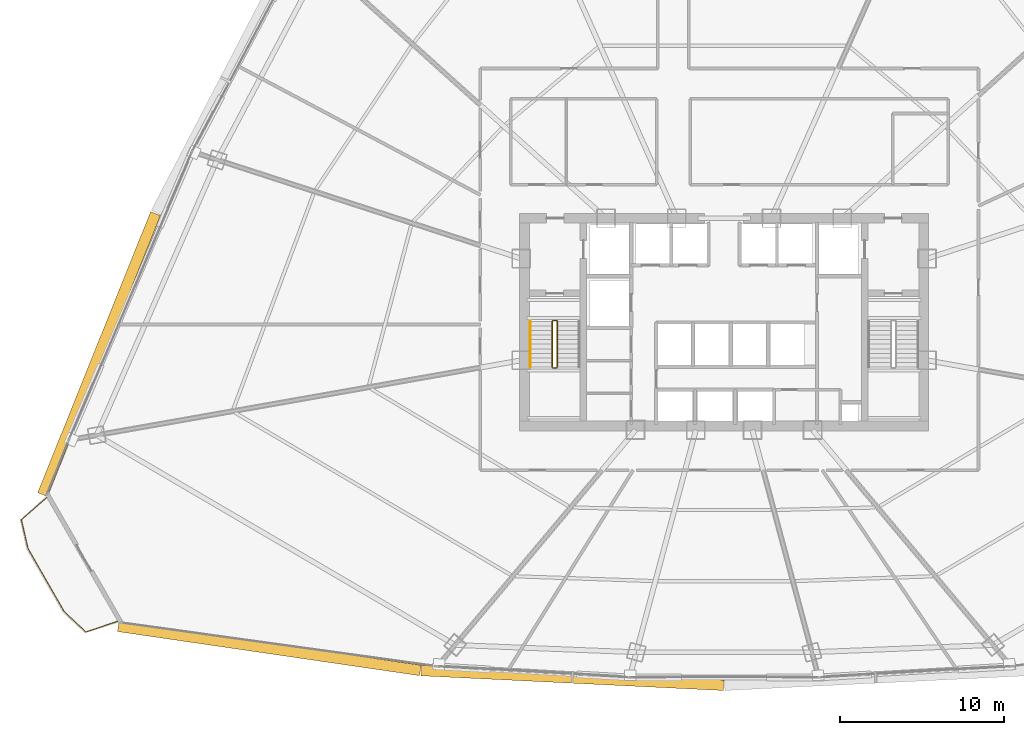
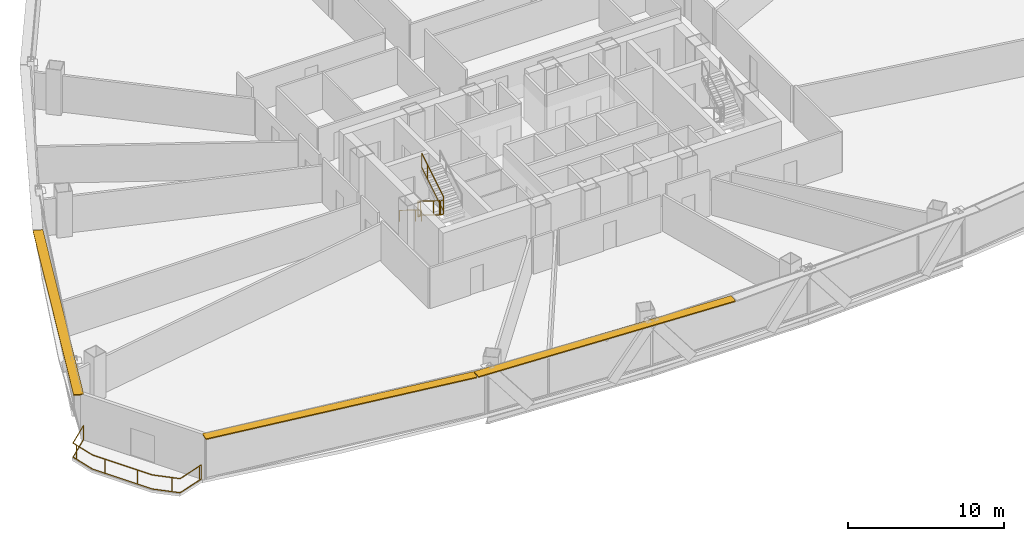
# One storey, part 33 of 36: 6 railings, 3 shading devices.
"""IFC4 building model written with IfcOpenShell, lengths in metres."""

from ifc_helpers import new_model, si_unit, direction, frame, origin, origin_2d, place, context, subcontext, project, spatial, rectangle, extrude, source, transform, mapped, material, layer, layer_set, type_object, element, save


model = new_model("IFC4")

# Units and contexts
model_context = context("Model", 3, precision=1e-05, world=origin(), true_north=direction((0.0, 1.0)))
body_context = subcontext(model_context, "Body", "Model", "MODEL_VIEW")
ifc_project = project(units=[si_unit("LENGTHUNIT", "METRE"), si_unit("AREAUNIT", "SQUARE_METRE"), si_unit("VOLUMEUNIT", "CUBIC_METRE"), si_unit("PLANEANGLEUNIT", "RADIAN"), si_unit("MASSUNIT", "GRAM", prefix="KILO"), si_unit("THERMODYNAMICTEMPERATUREUNIT", "KELVIN"), si_unit("POWERUNIT", "WATT")], contexts=[model_context])

# Site, building, storey
site_placement = place(None, origin())
site = spatial("IfcSite", under=ifc_project, at=site_placement, CompositionType="ELEMENT")
building_placement = place(site_placement, origin())
building = spatial("IfcBuilding", under=site, at=building_placement, Name="Yunzhuo Pagoda Commons", CompositionType="ELEMENT")
storey_placement = place(building_placement, frame((0.0, 0.0, 107.780029296875)))
storey = spatial("IfcBuildingStorey", under=building, at=storey_placement, Name="L27", CompositionType="ELEMENT", Elevation=107.780029296875)

# Railings
ifc_material = material(Name="Anodized aluminium 6063-T6", Category="aluminium")
railing_type_1 = type_object("IfcRailingType", Name="GR-ST1 Stair Well Guardrail 1150", PredefinedType="GUARDRAIL", material=ifc_material)
railing_1_placement = place(storey_placement, frame((37.5, 33.89990234375, 0.172607421875)))
element("IfcRailing", 1, at=railing_1_placement, inside=storey, type_object=railing_type_1, Name="L27 ST1 stair guard 1", PredefinedType="GUARDRAIL", context=body_context, shape_type="SweptSolid", body=[
    extrude(rectangle(XDim=0.048095703125, YDim=0.048095703125, at=origin_2d()), frame((0.0, 0.0, 1.1259765625), z_axis=(0.0, -0.851069175582, 0.525053576669), x_axis=(1.0, 0.0, 0.0)), (0.0, 0.0, 1.0), 3.289794921875),
    extrude(rectangle(XDim=0.048095703125, YDim=0.048095703125, at=origin_2d()), frame((0.0, 0.0, 0.02392578125), z_axis=(0.0, -0.851069175582, 0.525053576669), x_axis=(1.0, 0.0, 0.0)), (0.0, 0.0, 1.0), 3.289794921875),
    extrude(rectangle(XDim=0.0419921875, YDim=0.0419921875, at=origin_2d()), origin(), (0.0, 0.0, 1.0), 1.101806640625),
    extrude(rectangle(XDim=0.0419921875, YDim=0.0419921875, at=origin_2d()), frame((0.0, -2.04248046875, 1.260009765625)), (0.0, 0.0, 1.0), 1.101806640625),
    extrude(rectangle(XDim=0.0419921875, YDim=0.0419921875, at=origin_2d()), frame((0.0, -2.7998046875, 1.727294921875)), (0.0, 0.0, 1.0), 1.101806640625),
])
railing_2_placement = place(storey_placement, frame((37.550048828125, 31.050048828125, 1.89990234375)))
element("IfcRailing", 2, at=railing_2_placement, inside=storey, type_object=railing_type_1, Name="L27 ST1 stair guard 2", PredefinedType="GUARDRAIL", context=body_context, shape_type="SweptSolid", body=[
    extrude(rectangle(XDim=0.048095703125, YDim=0.048095703125, at=origin_2d()), frame((0.0, 0.0, 1.1259765625), z_axis=(1.0, 0.0, 0.0), x_axis=(0.0, 1.0, 0.0)), (0.0, 0.0, 1.0), 0.199951171875),
    extrude(rectangle(XDim=0.048095703125, YDim=0.048095703125, at=origin_2d()), frame((0.0, 0.0, 0.02392578125), z_axis=(1.0, 0.0, 0.0), x_axis=(0.0, 1.0, 0.0)), (0.0, 0.0, 1.0), 0.199951171875),
    extrude(rectangle(XDim=0.0419921875, YDim=0.0419921875, at=origin_2d()), origin(), (0.0, 0.0, 1.0), 1.101806640625),
    extrude(rectangle(XDim=0.0419921875, YDim=0.0419921875, at=origin_2d()), frame((0.199951171875, 0.0, 0.0)), (0.0, 0.0, 1.0), 1.101806640625),
])
railing_3_placement = place(storey_placement, frame((37.800048828125, 31.10009765625, 2.07275390625)))
element("IfcRailing", 3, at=railing_3_placement, inside=storey, type_object=railing_type_1, Name="L27 ST1 stair guard 3", PredefinedType="GUARDRAIL", context=body_context, shape_type="SweptSolid", body=[
    extrude(rectangle(XDim=0.048095703125, YDim=0.048095703125, at=origin_2d()), frame((0.0, 0.0, 1.1259765625), z_axis=(0.0, 0.851069175582, 0.525053576669), x_axis=(-1.0, 0.0, 0.0)), (0.0, 0.0, 1.0), 3.289794921875),
    extrude(rectangle(XDim=0.048095703125, YDim=0.048095703125, at=origin_2d()), frame((0.0, 0.0, 0.02392578125), z_axis=(0.0, 0.851069175582, 0.525053576669), x_axis=(-1.0, 0.0, 0.0)), (0.0, 0.0, 1.0), 3.289794921875),
    extrude(rectangle(XDim=0.0419921875, YDim=0.0419921875, at=origin_2d()), origin(), (0.0, 0.0, 1.0), 1.101806640625),
    extrude(rectangle(XDim=0.0419921875, YDim=0.0419921875, at=origin_2d()), frame((0.0, 2.04248046875, 1.260009765625)), (0.0, 0.0, 1.0), 1.101806640625),
    extrude(rectangle(XDim=0.0419921875, YDim=0.0419921875, at=origin_2d()), frame((0.0, 2.7998046875, 1.727294921875)), (0.0, 0.0, 1.0), 1.101806640625),
])
railing_4_placement = place(storey_placement, frame((37.550048828125, 33.949951171875, 0.0)))
element("IfcRailing", 4, at=railing_4_placement, inside=storey, type_object=railing_type_1, Name="L27 ST1 stair guard 4", PredefinedType="GUARDRAIL", context=body_context, shape_type="SweptSolid", body=[
    extrude(rectangle(XDim=0.048095703125, YDim=0.048095703125, at=origin_2d()), frame((0.0, 0.0, 1.1259765625), z_axis=(1.0, 0.0, 0.0), x_axis=(0.0, 1.0, 0.0)), (0.0, 0.0, 1.0), 0.199951171875),
    extrude(rectangle(XDim=0.048095703125, YDim=0.048095703125, at=origin_2d()), frame((0.0, 0.0, 0.02392578125), z_axis=(1.0, 0.0, 0.0), x_axis=(0.0, 1.0, 0.0)), (0.0, 0.0, 1.0), 0.199951171875),
    extrude(rectangle(XDim=0.0419921875, YDim=0.0419921875, at=origin_2d()), origin(), (0.0, 0.0, 1.0), 1.101806640625),
    extrude(rectangle(XDim=0.0419921875, YDim=0.0419921875, at=origin_2d()), frame((0.199951171875, 0.0, 0.0)), (0.0, 0.0, 1.0), 1.101806640625),
])
railing_type_2 = type_object("IfcRailingType", Name="HR-ST1 Stair Handrail 900", PredefinedType="HANDRAIL", material=ifc_material)
railing_5_placement = place(storey_placement, frame((36.14990234375, 33.89990234375, 0.172607421875)))
element("IfcRailing", 5, at=railing_5_placement, inside=storey, type_object=railing_type_2, Name="L27 ST1 stair handrail 1", PredefinedType="HANDRAIL", context=body_context, shape_type="SweptSolid", body=[
    extrude(rectangle(XDim=0.048095703125, YDim=0.048095703125, at=origin_2d()), frame((0.0, 0.0, 0.8759765625), z_axis=(0.0, -0.851069175582, 0.525053576669), x_axis=(1.0, 0.0, 0.0)), (0.0, 0.0, 1.0), 3.289794921875),
    extrude(rectangle(XDim=0.0419921875, YDim=0.0419921875, at=origin_2d()), origin(), (0.0, 0.0, 1.0), 0.851806640625),
    extrude(rectangle(XDim=0.0419921875, YDim=0.0419921875, at=origin_2d()), frame((0.0, -2.04248046875, 1.260009765625)), (0.0, 0.0, 1.0), 0.851806640625),
    extrude(rectangle(XDim=0.0419921875, YDim=0.0419921875, at=origin_2d()), frame((0.0, -2.7998046875, 1.727294921875)), (0.0, 0.0, 1.0), 0.851806640625),
])
railing_type_3 = type_object("IfcRailingType", Name="RL-BAL1 Exterior Terrace & Balcony Balustrade 1150", PredefinedType="BALUSTRADE", material=ifc_material)
railing_6_placement = place(storey_placement, frame((6.5947265625, 23.12548828125, 0.0)))
element("IfcRailing", 6, at=railing_6_placement, inside=storey, type_object=railing_type_3, Name="L27 corner balcony balustrade V1", PredefinedType="BALUSTRADE", context=body_context, shape_type="SweptSolid", body=[
    extrude(rectangle(XDim=0.048095703125, YDim=0.048095703125, at=origin_2d()), frame((0.0, 0.0, 1.1259765625), z_axis=(-0.753984993137, -0.656891642605, 0.0), x_axis=(0.656891642605, -0.753984993137, 0.0)), (0.0, 0.0, 1.0), 2.059326171875),
    extrude(rectangle(XDim=0.048095703125, YDim=0.048095703125, at=origin_2d()), frame((0.0, 0.0, 0.02392578125), z_axis=(-0.753984993137, -0.656891642605, 0.0), x_axis=(0.656891642605, -0.753984993137, 0.0)), (0.0, 0.0, 1.0), 2.059326171875),
    extrude(rectangle(XDim=0.048095703125, YDim=0.048095703125, at=origin_2d()), frame((-1.552734375, -1.352783203125, 1.1259765625), z_axis=(0.223732122611, -0.974650674505, 0.0), x_axis=(0.974650674505, 0.223732122611, 0.0)), (0.0, 0.0, 1.0), 1.819091796875),
    extrude(rectangle(XDim=0.048095703125, YDim=0.048095703125, at=origin_2d()), frame((-1.552734375, -1.352783203125, 0.02392578125), z_axis=(0.223732122611, -0.974650674505, 0.0), x_axis=(0.974650674505, 0.223732122611, 0.0)), (0.0, 0.0, 1.0), 1.819091796875),
    extrude(rectangle(XDim=0.048095703125, YDim=0.048095703125, at=origin_2d()), frame((-1.145751953125, -3.125732421875, 1.1259765625), z_axis=(0.497955580722, -0.867202536682, 0.0), x_axis=(0.867202536682, 0.497955580722, 0.0)), (0.0, 0.0, 1.0), 4.4404296875),
    extrude(rectangle(XDim=0.048095703125, YDim=0.048095703125, at=origin_2d()), frame((-1.145751953125, -3.125732421875, 0.02392578125), z_axis=(0.497955580722, -0.867202536682, 0.0), x_axis=(0.867202536682, 0.497955580722, 0.0)), (0.0, 0.0, 1.0), 4.4404296875),
    extrude(rectangle(XDim=0.048095703125, YDim=0.048095703125, at=origin_2d()), frame((1.0654296875, -6.9765625, 1.1259765625), z_axis=(0.728904896871, -0.684614965741, 0.0), x_axis=(0.684614965741, 0.728904896871, 0.0)), (0.0, 0.0, 1.0), 1.819091796875),
    extrude(rectangle(XDim=0.048095703125, YDim=0.048095703125, at=origin_2d()), frame((1.0654296875, -6.9765625, 0.02392578125), z_axis=(0.728904896871, -0.684614965741, 0.0), x_axis=(0.684614965741, 0.728904896871, 0.0)), (0.0, 0.0, 1.0), 1.819091796875),
    extrude(rectangle(XDim=0.048095703125, YDim=0.048095703125, at=origin_2d()), frame((2.391357421875, -8.221923828125, 1.1259765625), z_axis=(0.947431200383, 0.31995956079, 0.0), x_axis=(-0.31995956079, 0.947431200383, 0.0)), (0.0, 0.0, 1.0), 2.059326171875),
    extrude(rectangle(XDim=0.048095703125, YDim=0.048095703125, at=origin_2d()), frame((2.391357421875, -8.221923828125, 0.02392578125), z_axis=(0.947431200383, 0.31995956079, 0.0), x_axis=(-0.31995956079, 0.947431200383, 0.0)), (0.0, 0.0, 1.0), 2.059326171875),
    extrude(rectangle(XDim=0.0419921875, YDim=0.0419921875, at=origin_2d()), origin(), (0.0, 0.0, 1.0), 1.101806640625),
    extrude(rectangle(XDim=0.0419921875, YDim=0.0419921875, at=origin_2d()), frame((-1.4765625, -1.684814453125, 0.0)), (0.0, 0.0, 1.0), 1.101806640625),
    extrude(rectangle(XDim=0.0419921875, YDim=0.0419921875, at=origin_2d()), frame((-0.686767578125, -3.9248046875, 0.0)), (0.0, 0.0, 1.0), 1.101806640625),
    extrude(rectangle(XDim=0.0419921875, YDim=0.0419921875, at=origin_2d()), frame((0.50830078125, -6.006103515625, 0.0)), (0.0, 0.0, 1.0), 1.101806640625),
    extrude(rectangle(XDim=0.0419921875, YDim=0.0419921875, at=origin_2d()), frame((1.999267578125, -7.853515625, 0.0)), (0.0, 0.0, 1.0), 1.101806640625),
    extrude(rectangle(XDim=0.0419921875, YDim=0.0419921875, at=origin_2d()), frame((4.155517578125, -7.626220703125, 0.0)), (0.0, 0.0, 1.0), 1.101806640625),
    extrude(rectangle(XDim=0.0419921875, YDim=0.0419921875, at=origin_2d()), frame((4.342529296875, -7.56298828125, 0.0)), (0.0, 0.0, 1.0), 1.101806640625),
])

# Shading devices
ifc_layer = layer(ifc_material, 0.080078125)
ifc_layer_set = layer_set([ifc_layer], Name="Anodized aluminium 6063-T6")
shading_device_type = type_object("IfcShadingDeviceType", Name="SH-SUN1 Pagoda Horizontal Sunshade Eave 650", PredefinedType="USERDEFINED", material=ifc_layer_set)
shared_shape_1 = source(origin(), body_context, "Body", "SweptSolid", [
    extrude(rectangle(XDim=18.667724609375, YDim=0.64990234375, at=origin_2d()), origin(), (0.0, 0.0, 1.0), 0.080078125),
])
shading_device_1_placement = place(storey_placement, frame((20.197998046875, 13.904541015625, 3.4599609375), z_axis=(0.0, 0.0, 1.0), x_axis=(0.989510666697, -0.144459823108, 0.0)))
element("IfcShadingDevice", 7, at=shading_device_1_placement, inside=storey, type_object=shading_device_type, Name="L27 horizontal pagoda sunshade eave F1.1", ObjectType="SUNSHADE", PredefinedType="USERDEFINED", context=body_context, shape_type="MappedRepresentation", body=[
    mapped(shared_shape_1, transform((0.0, 0.0, 0.0), scale=1.0)),
])
shared_shape_2 = source(origin(), body_context, "Body", "SweptSolid", [
    extrude(rectangle(XDim=18.493408203125, YDim=0.64990234375, at=origin_2d()), origin(), (0.0, 0.0, 1.0), 0.080078125),
])
shading_device_2_placement = place(storey_placement, frame((38.732666015625, 12.1005859375, 3.4599609375), z_axis=(0.0, 0.0, 1.0), x_axis=(0.998818043775, -0.04860571396, 0.0)))
element("IfcShadingDevice", 8, at=shading_device_2_placement, inside=storey, type_object=shading_device_type, Name="L27 horizontal pagoda sunshade eave F1.2", ObjectType="SUNSHADE", PredefinedType="USERDEFINED", context=body_context, shape_type="MappedRepresentation", body=[
    mapped(shared_shape_2, transform((0.0, 0.0, 0.0), scale=1.0)),
])
shared_shape_3 = source(origin(), body_context, "Body", "SweptSolid", [
    extrude(rectangle(XDim=18.517578125, YDim=0.64990234375, at=origin_2d()), origin(), (0.0, 0.0, 1.0), 0.080078125),
])
shading_device_3_placement = place(storey_placement, frame((9.793212890625, 31.8935546875, 3.4599609375), z_axis=(0.0, 0.0, 1.0), x_axis=(-0.372987782576, -0.927836253899, 0.0)))
element("IfcShadingDevice", 9, at=shading_device_3_placement, inside=storey, type_object=shading_device_type, Name="L27 horizontal pagoda sunshade eave F3.4", ObjectType="SUNSHADE", PredefinedType="USERDEFINED", context=body_context, shape_type="MappedRepresentation", body=[
    mapped(shared_shape_3, transform((0.0, 0.0, 0.0), scale=1.0)),
])

save(model, "model.ifc")
